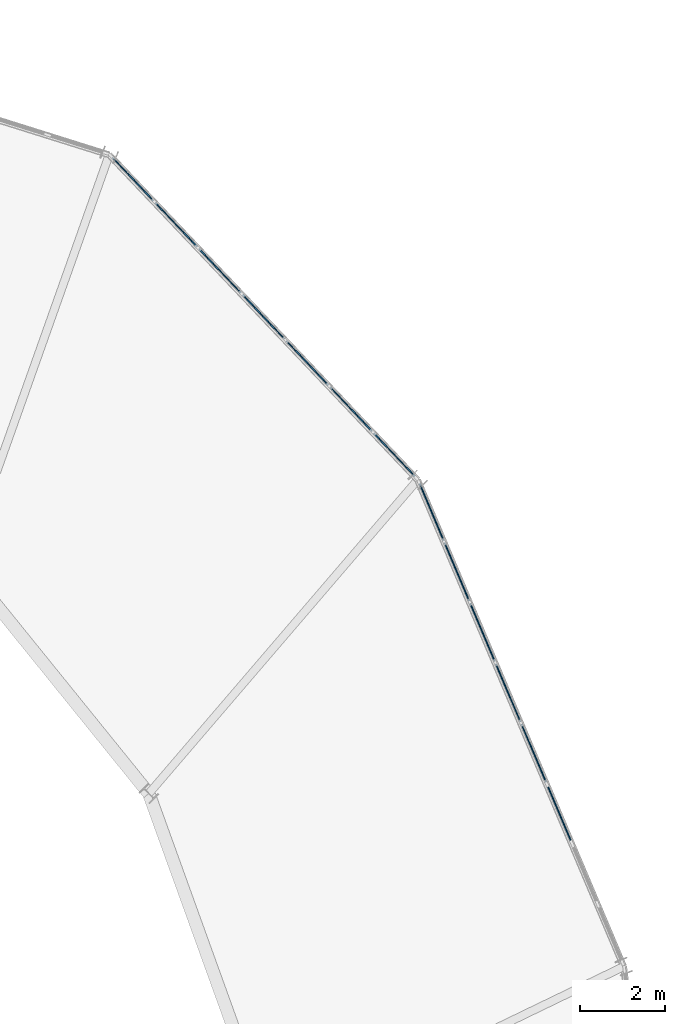
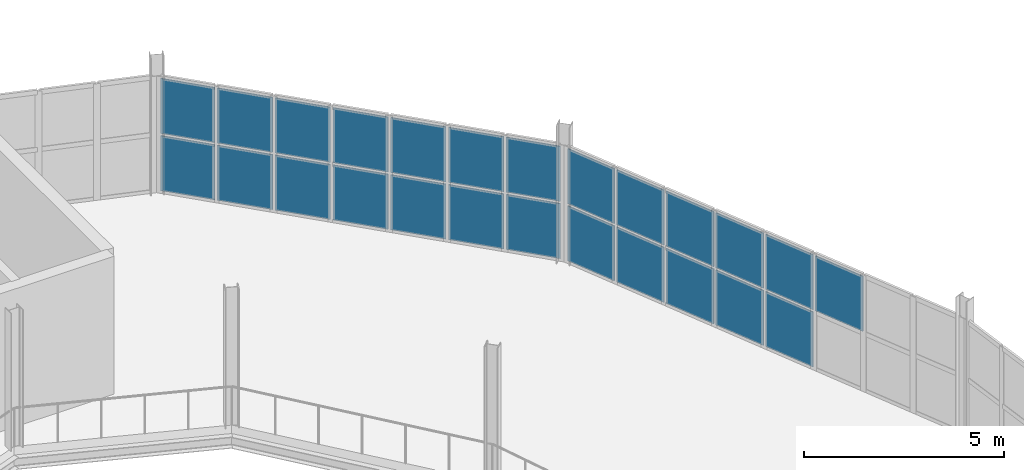
# One storey, part 126 of 161: 25 plates, 2 elements without a shape of their own.
"""IFC4 building model written with IfcOpenShell, lengths in metres."""

from ifc_helpers import new_model, si_unit, direction, frame, origin, origin_2d, place, context, subcontext, project, spatial, rectangle, extrude, material, layer, layer_set, type_object, element, aggregate, save


model = new_model("IFC4")

# Units and contexts
model_context = context("Model", 3, precision=1e-05, world=origin(), true_north=direction((0.0, 1.0)))
body_context = subcontext(model_context, "Body", "Model", "MODEL_VIEW")
ifc_project = project(units=[si_unit("LENGTHUNIT", "METRE"), si_unit("AREAUNIT", "SQUARE_METRE"), si_unit("VOLUMEUNIT", "CUBIC_METRE"), si_unit("PLANEANGLEUNIT", "RADIAN"), si_unit("MASSUNIT", "GRAM", prefix="KILO")], contexts=[model_context])

# Site, building, storey
site_placement = place(None, origin())
site = spatial("IfcSite", under=ifc_project, at=site_placement, CompositionType="ELEMENT")
building_placement = place(site_placement, origin())
building = spatial("IfcBuilding", under=site, at=building_placement, Name="Kildeholm Park Wholesale Market", CompositionType="ELEMENT")
storey_placement = place(building_placement, frame((0.0, 0.0, 5.39990234375)))
storey = spatial("IfcBuildingStorey", under=building, at=storey_placement, Name="L01", CompositionType="ELEMENT", Elevation=5.39990234375)

# Curtain wall, plates
ifc_material_1 = material(Name="Anodised aluminium and low-E double-glazed glass", Category="aluminium")
curtain_wall_type = type_object("IfcCurtainWallType", Name="Market hall glazed arcade stick curtain wall CW-01", PredefinedType="NOTDEFINED", material=ifc_material_1)
curtain_wall_1_placement = place(storey_placement, origin())
curtain_wall_1 = element("IfcCurtainWall", 1, at=curtain_wall_1_placement, inside=storey, type_object=curtain_wall_type, Name="Curtain wall CW-V2-L01-01 CW-0120", PredefinedType="NOTDEFINED")
ifc_material_2 = material(Name="Double-glazed low-E insulated glass", Category="glass")
ifc_layer = layer(ifc_material_2, 0.028076171875)
ifc_layer_set = layer_set([ifc_layer], Name="Double-glazed low-E insulated glass")
plate_type = type_object("IfcPlateType", Name="Curtain-wall panel CWP-1 28 mm", PredefinedType="CURTAIN_PANEL", material=ifc_layer_set)
plate_1_placement = place(storey_placement, frame((207.26171875, 111.70263671875, 1.8076171875), z_axis=(0.0, 0.0, 1.0), x_axis=(-0.389905076002, 0.920855054668, 0.0)))
plate_1 = element("IfcPlate", 2, at=plate_1_placement, type_object=plate_type, Name="CW-01 panel 3.2 PLT-1763", PredefinedType="CURTAIN_PANEL", context=body_context, shape_type="SweptSolid", body=[
    extrude(rectangle(XDim=1.488525390625, YDim=0.028076171875, at=origin_2d()), origin(), (0.0, 0.0, 1.0), 1.677490234375),
])
plate_2_placement = place(storey_placement, frame((206.65576171875, 113.13330078125, 0.06494140625), z_axis=(0.0, 0.0, 1.0), x_axis=(-0.389905076002, 0.920855054668, 0.0)))
plate_2 = element("IfcPlate", 3, at=plate_2_placement, type_object=plate_type, Name="CW-01 panel 4.1 PLT-1764", PredefinedType="CURTAIN_PANEL", context=body_context, shape_type="SweptSolid", body=[
    extrude(rectangle(XDim=1.488525390625, YDim=0.028076171875, at=origin_2d()), origin(), (0.0, 0.0, 1.0), 1.677490234375),
])
plate_3_placement = place(storey_placement, frame((206.65576171875, 113.13330078125, 1.8076171875), z_axis=(0.0, 0.0, 1.0), x_axis=(-0.389905076002, 0.920855054668, 0.0)))
plate_3 = element("IfcPlate", 4, at=plate_3_placement, type_object=plate_type, Name="CW-01 panel 4.2 PLT-1765", PredefinedType="CURTAIN_PANEL", context=body_context, shape_type="SweptSolid", body=[
    extrude(rectangle(XDim=1.488525390625, YDim=0.028076171875, at=origin_2d()), origin(), (0.0, 0.0, 1.0), 1.677490234375),
])
plate_4_placement = place(storey_placement, frame((206.050048828125, 114.563720703125, 0.06494140625), z_axis=(0.0, 0.0, 1.0), x_axis=(-0.389905076002, 0.920855054668, 0.0)))
plate_4 = element("IfcPlate", 5, at=plate_4_placement, type_object=plate_type, Name="CW-01 panel 5.1 PLT-1766", PredefinedType="CURTAIN_PANEL", context=body_context, shape_type="SweptSolid", body=[
    extrude(rectangle(XDim=1.488525390625, YDim=0.028076171875, at=origin_2d()), origin(), (0.0, 0.0, 1.0), 1.677490234375),
])
plate_5_placement = place(storey_placement, frame((206.050048828125, 114.563720703125, 1.8076171875), z_axis=(0.0, 0.0, 1.0), x_axis=(-0.389905076002, 0.920855054668, 0.0)))
plate_5 = element("IfcPlate", 6, at=plate_5_placement, type_object=plate_type, Name="CW-01 panel 5.2 PLT-1767", PredefinedType="CURTAIN_PANEL", context=body_context, shape_type="SweptSolid", body=[
    extrude(rectangle(XDim=1.488525390625, YDim=0.028076171875, at=origin_2d()), origin(), (0.0, 0.0, 1.0), 1.677490234375),
])
plate_6_placement = place(storey_placement, frame((205.4443359375, 115.994384765625, 0.06494140625), z_axis=(0.0, 0.0, 1.0), x_axis=(-0.389905076002, 0.920855054668, 0.0)))
plate_6 = element("IfcPlate", 7, at=plate_6_placement, type_object=plate_type, Name="CW-01 panel 6.1 PLT-1768", PredefinedType="CURTAIN_PANEL", context=body_context, shape_type="SweptSolid", body=[
    extrude(rectangle(XDim=1.488525390625, YDim=0.028076171875, at=origin_2d()), origin(), (0.0, 0.0, 1.0), 1.677490234375),
])
plate_7_placement = place(storey_placement, frame((205.4443359375, 115.994384765625, 1.8076171875), z_axis=(0.0, 0.0, 1.0), x_axis=(-0.389905076002, 0.920855054668, 0.0)))
plate_7 = element("IfcPlate", 8, at=plate_7_placement, type_object=plate_type, Name="CW-01 panel 6.2 PLT-1769", PredefinedType="CURTAIN_PANEL", context=body_context, shape_type="SweptSolid", body=[
    extrude(rectangle(XDim=1.488525390625, YDim=0.028076171875, at=origin_2d()), origin(), (0.0, 0.0, 1.0), 1.677490234375),
])
plate_8_placement = place(storey_placement, frame((204.838623046875, 117.425048828125, 0.06494140625), z_axis=(0.0, 0.0, 1.0), x_axis=(-0.389905076002, 0.920855054668, 0.0)))
plate_8 = element("IfcPlate", 9, at=plate_8_placement, type_object=plate_type, Name="CW-01 panel 7.1 PLT-1770", PredefinedType="CURTAIN_PANEL", context=body_context, shape_type="SweptSolid", body=[
    extrude(rectangle(XDim=1.488525390625, YDim=0.028076171875, at=origin_2d()), origin(), (0.0, 0.0, 1.0), 1.677490234375),
])
plate_9_placement = place(storey_placement, frame((204.838623046875, 117.425048828125, 1.8076171875), z_axis=(0.0, 0.0, 1.0), x_axis=(-0.389905076002, 0.920855054668, 0.0)))
plate_9 = element("IfcPlate", 10, at=plate_9_placement, type_object=plate_type, Name="CW-01 panel 7.2 PLT-1771", PredefinedType="CURTAIN_PANEL", context=body_context, shape_type="SweptSolid", body=[
    extrude(rectangle(XDim=1.488525390625, YDim=0.028076171875, at=origin_2d()), origin(), (0.0, 0.0, 1.0), 1.677490234375),
])
plate_10_placement = place(storey_placement, frame((204.2392578125, 118.8408203125, 0.06494140625), z_axis=(0.0, 0.0, 1.0), x_axis=(-0.389905076002, 0.920855054668, 0.0)))
plate_10 = element("IfcPlate", 11, at=plate_10_placement, type_object=plate_type, Name="CW-01 panel 8.1 PLT-1772", PredefinedType="CURTAIN_PANEL", context=body_context, shape_type="SweptSolid", body=[
    extrude(rectangle(XDim=1.4560546875, YDim=0.028076171875, at=origin_2d()), origin(), (0.0, 0.0, 1.0), 1.677490234375),
])
plate_11_placement = place(storey_placement, frame((204.2392578125, 118.8408203125, 1.8076171875), z_axis=(0.0, 0.0, 1.0), x_axis=(-0.389905076002, 0.920855054668, 0.0)))
plate_11 = element("IfcPlate", 12, at=plate_11_placement, type_object=plate_type, Name="CW-01 panel 8.2 PLT-1773", PredefinedType="CURTAIN_PANEL", context=body_context, shape_type="SweptSolid", body=[
    extrude(rectangle(XDim=1.4560546875, YDim=0.028076171875, at=origin_2d()), origin(), (0.0, 0.0, 1.0), 1.677490234375),
])
aggregate(curtain_wall_1, [plate_1, plate_2, plate_3, plate_4, plate_5, plate_6, plate_7, plate_8, plate_9, plate_10, plate_11])

curtain_wall_2_placement = place(storey_placement, origin())
curtain_wall_2 = element("IfcCurtainWall", 13, at=curtain_wall_2_placement, inside=storey, type_object=curtain_wall_type, Name="Curtain wall CW-V2-L01-02 CW-0121", PredefinedType="NOTDEFINED")
plate_12_placement = place(storey_placement, frame((203.357421875, 120.196533203125, 0.06494140625), z_axis=(0.0, 0.0, 1.0), x_axis=(-0.688147627866, 0.725570701078, 0.0)))
plate_12 = element("IfcPlate", 14, at=plate_12_placement, type_object=plate_type, Name="CW-01 panel 1.1 PLT-1774", PredefinedType="CURTAIN_PANEL", context=body_context, shape_type="SweptSolid", body=[
    extrude(rectangle(XDim=1.406494140625, YDim=0.028076171875, at=origin_2d()), origin(), (0.0, 0.0, 1.0), 1.677490234375),
])
plate_13_placement = place(storey_placement, frame((203.357421875, 120.196533203125, 1.8076171875), z_axis=(0.0, 0.0, 1.0), x_axis=(-0.688147627866, 0.725570701078, 0.0)))
plate_13 = element("IfcPlate", 15, at=plate_13_placement, type_object=plate_type, Name="CW-01 panel 1.2 PLT-1775", PredefinedType="CURTAIN_PANEL", context=body_context, shape_type="SweptSolid", body=[
    extrude(rectangle(XDim=1.406494140625, YDim=0.028076171875, at=origin_2d()), origin(), (0.0, 0.0, 1.0), 1.677490234375),
])
plate_14_placement = place(storey_placement, frame((202.33349609375, 121.27587890625, 0.06494140625), z_axis=(0.0, 0.0, 1.0), x_axis=(-0.688147627866, 0.725570701078, 0.0)))
plate_14 = element("IfcPlate", 16, at=plate_14_placement, type_object=plate_type, Name="CW-01 panel 2.1 PLT-1776", PredefinedType="CURTAIN_PANEL", context=body_context, shape_type="SweptSolid", body=[
    extrude(rectangle(XDim=1.43896484375, YDim=0.028076171875, at=origin_2d()), origin(), (0.0, 0.0, 1.0), 1.677490234375),
])
plate_15_placement = place(storey_placement, frame((202.33349609375, 121.27587890625, 1.8076171875), z_axis=(0.0, 0.0, 1.0), x_axis=(-0.688147627866, 0.725570701078, 0.0)))
plate_15 = element("IfcPlate", 17, at=plate_15_placement, type_object=plate_type, Name="CW-01 panel 2.2 PLT-1777", PredefinedType="CURTAIN_PANEL", context=body_context, shape_type="SweptSolid", body=[
    extrude(rectangle(XDim=1.43896484375, YDim=0.028076171875, at=origin_2d()), origin(), (0.0, 0.0, 1.0), 1.677490234375),
])
plate_16_placement = place(storey_placement, frame((201.298583984375, 122.3671875, 0.06494140625), z_axis=(0.0, 0.0, 1.0), x_axis=(-0.688147627866, 0.725570701078, 0.0)))
plate_16 = element("IfcPlate", 18, at=plate_16_placement, type_object=plate_type, Name="CW-01 panel 3.1 PLT-1778", PredefinedType="CURTAIN_PANEL", context=body_context, shape_type="SweptSolid", body=[
    extrude(rectangle(XDim=1.43896484375, YDim=0.028076171875, at=origin_2d()), origin(), (0.0, 0.0, 1.0), 1.677490234375),
])
plate_17_placement = place(storey_placement, frame((201.298583984375, 122.3671875, 1.8076171875), z_axis=(0.0, 0.0, 1.0), x_axis=(-0.688147627866, 0.725570701078, 0.0)))
plate_17 = element("IfcPlate", 19, at=plate_17_placement, type_object=plate_type, Name="CW-01 panel 3.2 PLT-1779", PredefinedType="CURTAIN_PANEL", context=body_context, shape_type="SweptSolid", body=[
    extrude(rectangle(XDim=1.43896484375, YDim=0.028076171875, at=origin_2d()), origin(), (0.0, 0.0, 1.0), 1.677490234375),
])
plate_18_placement = place(storey_placement, frame((200.263427734375, 123.45849609375, 0.06494140625), z_axis=(0.0, 0.0, 1.0), x_axis=(-0.688147627866, 0.725570701078, 0.0)))
plate_18 = element("IfcPlate", 20, at=plate_18_placement, type_object=plate_type, Name="CW-01 panel 4.1 PLT-1780", PredefinedType="CURTAIN_PANEL", context=body_context, shape_type="SweptSolid", body=[
    extrude(rectangle(XDim=1.43896484375, YDim=0.028076171875, at=origin_2d()), origin(), (0.0, 0.0, 1.0), 1.677490234375),
])
plate_19_placement = place(storey_placement, frame((200.263427734375, 123.45849609375, 1.8076171875), z_axis=(0.0, 0.0, 1.0), x_axis=(-0.688147627866, 0.725570701078, 0.0)))
plate_19 = element("IfcPlate", 21, at=plate_19_placement, type_object=plate_type, Name="CW-01 panel 4.2 PLT-1781", PredefinedType="CURTAIN_PANEL", context=body_context, shape_type="SweptSolid", body=[
    extrude(rectangle(XDim=1.43896484375, YDim=0.028076171875, at=origin_2d()), origin(), (0.0, 0.0, 1.0), 1.677490234375),
])
plate_20_placement = place(storey_placement, frame((199.228515625, 124.5498046875, 0.06494140625), z_axis=(0.0, 0.0, 1.0), x_axis=(-0.688147627866, 0.725570701078, 0.0)))
plate_20 = element("IfcPlate", 22, at=plate_20_placement, type_object=plate_type, Name="CW-01 panel 5.1 PLT-1782", PredefinedType="CURTAIN_PANEL", context=body_context, shape_type="SweptSolid", body=[
    extrude(rectangle(XDim=1.43896484375, YDim=0.028076171875, at=origin_2d()), origin(), (0.0, 0.0, 1.0), 1.677490234375),
])
plate_21_placement = place(storey_placement, frame((199.228515625, 124.5498046875, 1.8076171875), z_axis=(0.0, 0.0, 1.0), x_axis=(-0.688147627866, 0.725570701078, 0.0)))
plate_21 = element("IfcPlate", 23, at=plate_21_placement, type_object=plate_type, Name="CW-01 panel 5.2 PLT-1783", PredefinedType="CURTAIN_PANEL", context=body_context, shape_type="SweptSolid", body=[
    extrude(rectangle(XDim=1.43896484375, YDim=0.028076171875, at=origin_2d()), origin(), (0.0, 0.0, 1.0), 1.677490234375),
])
plate_22_placement = place(storey_placement, frame((198.193603515625, 125.64111328125, 0.06494140625), z_axis=(0.0, 0.0, 1.0), x_axis=(-0.688147627866, 0.725570701078, 0.0)))
plate_22 = element("IfcPlate", 24, at=plate_22_placement, type_object=plate_type, Name="CW-01 panel 6.1 PLT-1784", PredefinedType="CURTAIN_PANEL", context=body_context, shape_type="SweptSolid", body=[
    extrude(rectangle(XDim=1.43896484375, YDim=0.028076171875, at=origin_2d()), origin(), (0.0, 0.0, 1.0), 1.677490234375),
])
plate_23_placement = place(storey_placement, frame((198.193603515625, 125.64111328125, 1.8076171875), z_axis=(0.0, 0.0, 1.0), x_axis=(-0.688147627866, 0.725570701078, 0.0)))
plate_23 = element("IfcPlate", 25, at=plate_23_placement, type_object=plate_type, Name="CW-01 panel 6.2 PLT-1785", PredefinedType="CURTAIN_PANEL", context=body_context, shape_type="SweptSolid", body=[
    extrude(rectangle(XDim=1.43896484375, YDim=0.028076171875, at=origin_2d()), origin(), (0.0, 0.0, 1.0), 1.677490234375),
])
plate_24_placement = place(storey_placement, frame((197.169677734375, 126.720458984375, 0.06494140625), z_axis=(0.0, 0.0, 1.0), x_axis=(-0.688147627866, 0.725570701078, 0.0)))
plate_24 = element("IfcPlate", 26, at=plate_24_placement, type_object=plate_type, Name="CW-01 panel 7.1 PLT-1786", PredefinedType="CURTAIN_PANEL", context=body_context, shape_type="SweptSolid", body=[
    extrude(rectangle(XDim=1.406494140625, YDim=0.028076171875, at=origin_2d()), origin(), (0.0, 0.0, 1.0), 1.677490234375),
])
plate_25_placement = place(storey_placement, frame((197.169677734375, 126.720458984375, 1.8076171875), z_axis=(0.0, 0.0, 1.0), x_axis=(-0.688147627866, 0.725570701078, 0.0)))
plate_25 = element("IfcPlate", 27, at=plate_25_placement, type_object=plate_type, Name="CW-01 panel 7.2 PLT-1787", PredefinedType="CURTAIN_PANEL", context=body_context, shape_type="SweptSolid", body=[
    extrude(rectangle(XDim=1.406494140625, YDim=0.028076171875, at=origin_2d()), origin(), (0.0, 0.0, 1.0), 1.677490234375),
])
aggregate(curtain_wall_2, [plate_12, plate_13, plate_14, plate_15, plate_16, plate_17, plate_18, plate_19, plate_20, plate_21, plate_22, plate_23, plate_24, plate_25])

save(model, "model.ifc")
